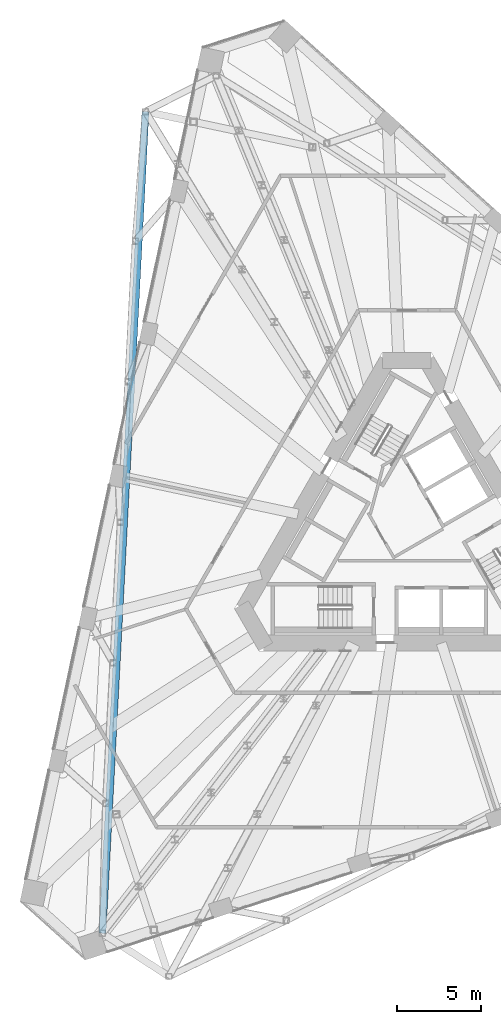
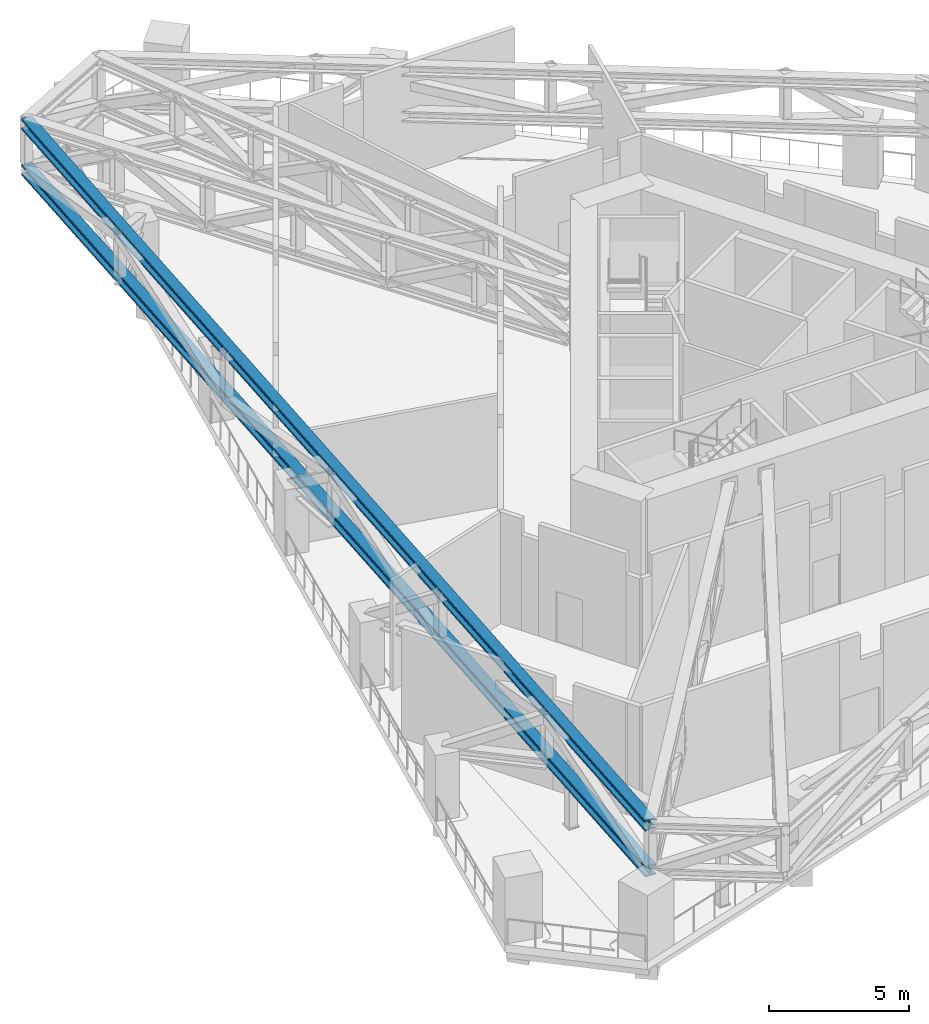
# One storey, part 7 of 24: 2 members.
"""IFC4 building model written with IfcOpenShell, lengths in metres."""

from ifc_helpers import new_model, si_unit, direction, frame, origin, origin_2d, place, context, subcontext, project, spatial, i_section, extrude, material, material_profile, profile_set, type_object, element, save


model = new_model("IFC4")

# Units and contexts
model_context = context("Model", 3, precision=1e-05, world=origin(), true_north=direction((0.0, 1.0)))
body_context = subcontext(model_context, "Body", "Model", "MODEL_VIEW")
ifc_project = project(units=[si_unit("LENGTHUNIT", "METRE"), si_unit("AREAUNIT", "SQUARE_METRE"), si_unit("VOLUMEUNIT", "CUBIC_METRE"), si_unit("PLANEANGLEUNIT", "RADIAN"), si_unit("MASSUNIT", "GRAM", prefix="KILO")], contexts=[model_context])

# Site, building, storey
site_placement = place(None, origin())
site = spatial("IfcSite", under=ifc_project, at=site_placement, CompositionType="ELEMENT")
building_placement = place(site_placement, origin())
building = spatial("IfcBuilding", under=site, at=building_placement, Name="Tramontana Tower", CompositionType="ELEMENT")
storey_placement = place(building_placement, frame((0.0, 0.0, 120.39990234375)))
storey = spatial("IfcBuildingStorey", under=building, at=storey_placement, Name="L27", CompositionType="ELEMENT", Elevation=120.39990234375)

# Members
ifc_material = material(Name="Steel ASTM A992 Grade 50", Category="steel")
ifc_material_profile = material_profile(ifc_material, i_section(OverallWidth=0.42236328125, OverallDepth=0.463623046875, WebThickness=0.04443359375, FlangeThickness=0.072998046875, FilletRadius=0.014892578125, at=origin_2d()), Name="W14X398")
ifc_profile_set = profile_set([ifc_material_profile], Name="Steel ASTM A992 Grade 50")
member_type = type_object("IfcMemberType", Name="Belt truss W14X398 chord", PredefinedType="CHORD", material=ifc_profile_set)
for number, where, z_axis, x_axis, name in (
    (1, (-15.54638671875, 25.31298828125, 2.6318359375), (-0.052341464929, -0.998629246041, 0.0), (0.998629246041, -0.052341464929, 0.0), "Belt truss bottom chord S0"),
    (2, (-15.54638671875, 25.31298828125, 4.618408203125), (-0.052341464929, -0.998629246041, 0.0), (0.998629246041, -0.052341464929, 0.0), "Belt truss top chord S0"),
):
    element("IfcMember", number, at=place(storey_placement, frame(where, z_axis=z_axis, x_axis=x_axis)), inside=storey, type_object=member_type, Name=name, PredefinedType="CHORD", context=body_context, shape_type="SweptSolid", body=[
        extrude(i_section(OverallWidth=0.42236328125, OverallDepth=0.463623046875, WebThickness=0.04443359375, FlangeThickness=0.072998046875, FilletRadius=0.014892578125, at=origin_2d()), origin(), (0.0, 0.0, 1.0), 48.929443359375),
    ])

save(model, "model.ifc")
